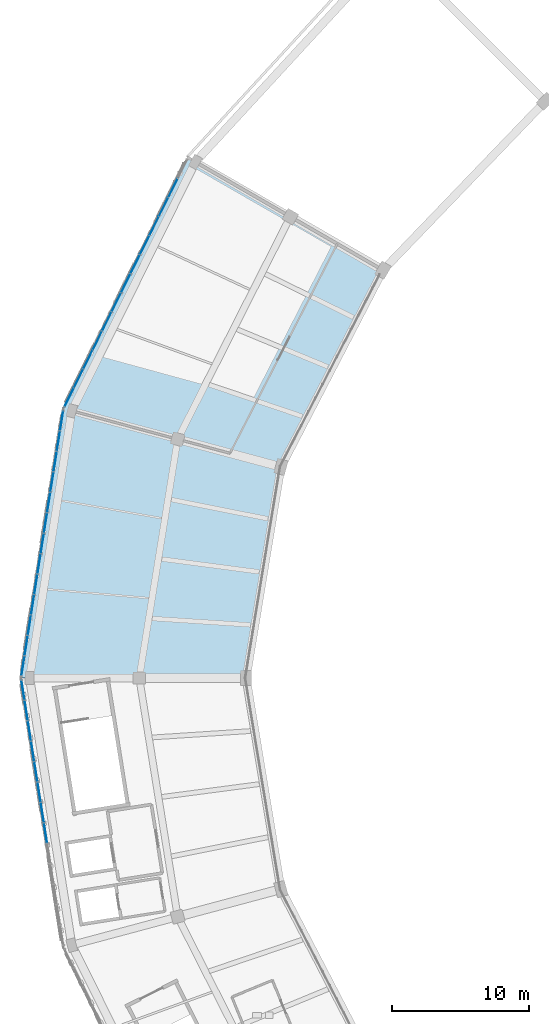
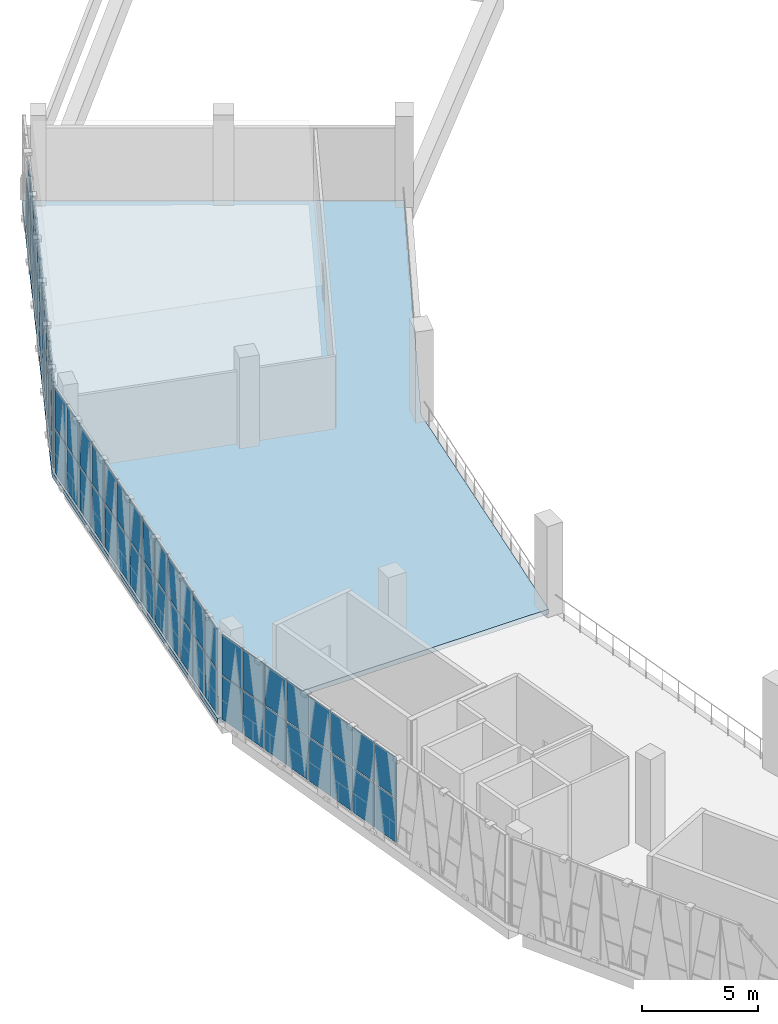
# One storey, part 36 of 64: 65 plates, 1 slab, 3 elements without a shape of their own.
"""IFC4 building model written with IfcOpenShell, lengths in metres."""

import ifcopenshell
import ifcopenshell.guid

model = None  # the IFC model being written
_history = None  # IfcOwnerHistory: only IFC2X3 demands one
_inside = {}  # id of a spatial element -> (the spatial element, [elements in it])
_under = {}  # id of a project, library or spatial element -> (it, [spatial elements below it])
_declared = {}  # id of a project -> (the project, [libraries it declares])
_typed = {}  # id of a type object -> (the type object, [elements of that type])
_made_of = {}  # id of a material, layer set ... -> (it, [elements and type objects made of it])


def new_model(schema):
    """Start an empty IFC model of exactly this schema.

    Asked for "IFC4X3", IfcOpenShell would pick the latest addendum, in which some entities
    have other attributes; the version numbers below select the first issue.
    IFC2X3 requires an IfcOwnerHistory on every rooted entity: one is made here for all.
    """
    global model, _history
    if schema == "IFC4X3":
        model = ifcopenshell.file(schema_version=(4, 3, 0, 0))
    else:
        model = ifcopenshell.file(schema=schema)
    _inside.clear()
    _under.clear()
    _declared.clear()
    _typed.clear()
    _made_of.clear()
    _history = None
    if model.schema == "IFC2X3":
        org = make("IfcOrganization", Name="unknown")
        user = make(
            "IfcPersonAndOrganization",
            ThePerson=make("IfcPerson", FamilyName="unknown"),
            TheOrganization=org,
        )
        app = make(
            "IfcApplication",
            ApplicationDeveloper=org,
            Version="unknown",
            ApplicationFullName="unknown",
            ApplicationIdentifier="unknown",
        )
        _history = make(
            "IfcOwnerHistory",
            OwningUser=user,
            OwningApplication=app,
            ChangeAction="ADDED",
            CreationDate=0,
        )
    return model


def make(cls, **values):
    """One entity of the class cls with the attributes given. An attribute that is None is left unset."""
    return model.create_entity(
        cls, **{name: value for name, value in values.items() if value is not None}
    )


def rooted(cls, **values):
    """An entity with a GlobalId (a new one), such as an element, a storey or a relation."""
    return make(cls, GlobalId=ifcopenshell.guid.new(), OwnerHistory=_history, **values)


def si_unit(unit_type, name, prefix=None):
    """IfcSIUnit, for example si_unit("LENGTHUNIT", "METRE", prefix="MILLI")."""
    return make("IfcSIUnit", UnitType=unit_type, Prefix=prefix, Name=name)


def assignment(units):
    """IfcUnitAssignment: the units of a project."""
    return None if units is None else make("IfcUnitAssignment", Units=units)


def point(xyz):
    """IfcCartesianPoint."""
    return None if xyz is None else make("IfcCartesianPoint", Coordinates=xyz)


def direction(xyz):
    """IfcDirection."""
    return None if xyz is None else make("IfcDirection", DirectionRatios=xyz)


def frame(location, z_axis=None, x_axis=None):
    """IfcAxis2Placement3D, a coordinate frame: its origin and axes. An axis left out is left unset."""
    return make(
        "IfcAxis2Placement3D",
        Location=point(location),
        Axis=direction(z_axis),
        RefDirection=direction(x_axis),
    )


def frame_2d(location, x_axis=None):
    """IfcAxis2Placement2D, a coordinate frame in the plane: its origin and x axis."""
    return make(
        "IfcAxis2Placement2D", Location=point(location), RefDirection=direction(x_axis)
    )


def origin():
    """The frame at (0, 0, 0) with its axes left unset."""
    return frame((0.0, 0.0, 0.0))


def origin_2d():
    """The frame at (0, 0) in the plane with its x axis left unset."""
    return frame_2d((0.0, 0.0))


def place(relative_to, where):
    """IfcLocalPlacement: puts the frame where relative to a parent placement (None: the world)."""
    return make(
        "IfcLocalPlacement", PlacementRelTo=relative_to, RelativePlacement=where
    )


def context(
    kind, dimensions, precision=None, world=None, true_north=None, identifier=None
):
    """IfcGeometricRepresentationContext, for example the 3D "Model" context."""
    return make(
        "IfcGeometricRepresentationContext",
        ContextIdentifier=identifier,
        ContextType=kind,
        CoordinateSpaceDimension=dimensions,
        Precision=precision,
        WorldCoordinateSystem=world,
        TrueNorth=true_north,
    )


def subcontext(parent, identifier, kind, view, scale=None):
    """IfcGeometricRepresentationSubContext, for example "Body" below "Model"."""
    return make(
        "IfcGeometricRepresentationSubContext",
        ContextIdentifier=identifier,
        ContextType=kind,
        ParentContext=parent,
        TargetScale=scale,
        TargetView=view,
    )


def project(units=None, contexts=None):
    """IfcProject with its units and contexts."""
    return rooted(
        "IfcProject",
        Name="project",
        RepresentationContexts=contexts,
        UnitsInContext=assignment(units),
    )


def spatial(cls, under=None, at=None, **own):
    """A site, building, storey or space (cls), placed at a placement, below another one or the project."""
    s = rooted(cls, ObjectPlacement=at, **own)
    if under is not None:
        _under.setdefault(under.id(), (under, []))[1].append(s)
    return s


def polyline(points):
    """IfcPolyline through the points."""
    return make("IfcPolyline", Points=[point(p) for p in points])


def profile(cls, at=None, kind="AREA", **sizes):
    """A parametric profile (cls). Its sizes go by their IFC names, for example OverallWidth=200.0."""
    return make(cls, ProfileType=kind, Position=at, **sizes)


def rectangle(**sizes):
    """IfcRectangleProfileDef."""
    return profile("IfcRectangleProfileDef", **sizes)


def outline(outer, holes=None, kind="AREA"):
    """IfcArbitraryClosedProfileDef: a profile drawn as a closed curve; with holes, ...WithVoids."""
    if holes is None:
        return make("IfcArbitraryClosedProfileDef", ProfileType=kind, OuterCurve=outer)
    return make(
        "IfcArbitraryProfileDefWithVoids",
        ProfileType=kind,
        OuterCurve=outer,
        InnerCurves=holes,
    )


def extrude(swept, where, along, depth):
    """IfcExtrudedAreaSolid: the profile swept, set in the frame where, extruded along a direction by depth."""
    return make(
        "IfcExtrudedAreaSolid",
        SweptArea=swept,
        Position=where,
        ExtrudedDirection=direction(along),
        Depth=depth,
    )


def shape(context_of_items, identifier, shape_type, items):
    """IfcShapeRepresentation: the items that make up one representation, for example the "Body"."""
    return make(
        "IfcShapeRepresentation",
        ContextOfItems=context_of_items,
        RepresentationIdentifier=identifier,
        RepresentationType=shape_type,
        Items=items,
    )


def material(Name=None, Category=None):
    """IfcMaterial."""
    return make("IfcMaterial", Name=Name, Category=Category)


def layer(
    of_material, thickness, ventilated=None, Name=None, Category=None, Priority=None
):
    """IfcMaterialLayer: one layer of a wall or slab, of a material (None: an air gap)."""
    return make(
        "IfcMaterialLayer",
        Material=of_material,
        LayerThickness=thickness,
        IsVentilated=ventilated,
        Name=Name,
        Category=Category,
        Priority=Priority,
    )


def layer_set(layers, Name=None):
    """IfcMaterialLayerSet."""
    return make("IfcMaterialLayerSet", MaterialLayers=layers, LayerSetName=Name)


def made_of(thing, what):
    """Note that an element or type object is made of a material, layer set ...; save() writes the relation."""
    if what is not None:
        _made_of.setdefault(what.id(), (what, []))[1].append(thing)
    return thing


def type_object(cls, material=None, **own):
    """A type object (cls), such as IfcWallType, which elements share."""
    return made_of(rooted(cls, **own), material)


def element(
    cls,
    number,
    at=None,
    inside=None,
    cuts=None,
    type_object=None,
    material=None,
    context=None,
    identifier="Body",
    shape_type=None,
    held_by="IfcProductDefinitionShape",
    body=None,
    shapes=None,
    **own,
):
    """One element of the class cls, such as IfcWall. Its Tag is "e" and its number.

    at: its placement. inside: the storey or other place that contains it. cuts: it is an
    opening in that element (IfcRelVoidsElement). A single representation is given by context,
    identifier, shape_type and body (its items); several are given by shapes. held_by: the class
    of the entity that holds the representations. save() writes the other relations.
    """
    e = rooted(cls, Tag="e%d" % number, ObjectPlacement=at, **own)
    if body is not None:
        shapes = [shape(context, identifier, shape_type, body)]
    if shapes is not None:
        e.Representation = make(held_by, Representations=shapes)
    if inside is not None:
        _inside.setdefault(inside.id(), (inside, []))[1].append(e)
    if cuts is not None:
        rooted(
            "IfcRelVoidsElement", RelatingBuildingElement=cuts, RelatedOpeningElement=e
        )
    if type_object is not None:
        _typed.setdefault(type_object.id(), (type_object, []))[1].append(e)
    return made_of(e, material)


def aggregate(whole, parts):
    """IfcRelAggregates: a whole, such as a stair, and the parts it consists of."""
    return rooted("IfcRelAggregates", RelatingObject=whole, RelatedObjects=parts)


def save(model, path):
    """Write the relations noted so far, then the file.

    IfcRelAggregates (storeys below a building ...), IfcRelContainedInSpatialStructure (elements
    in a storey), IfcRelDefinesByType, IfcRelAssociatesMaterial and IfcRelDeclares: one each for
    every whole, place, type object, material and project.
    """
    for whole, parts in _under.values():
        aggregate(whole, parts)
    for where, things in _inside.values():
        rooted(
            "IfcRelContainedInSpatialStructure",
            RelatedElements=things,
            RelatingStructure=where,
        )
    for kind, things in _typed.values():
        rooted("IfcRelDefinesByType", RelatedObjects=things, RelatingType=kind)
    for what, things in _made_of.values():
        rooted("IfcRelAssociatesMaterial", RelatedObjects=things, RelatingMaterial=what)
    for by, libraries in _declared.values():
        rooted("IfcRelDeclares", RelatingContext=by, RelatedDefinitions=libraries)
    model.write(path)


model = new_model("IFC4")

# Units and contexts
model_context = context("Model", 3, precision=1e-05, world=origin(), true_north=direction((0.0, 1.0)))
body_context = subcontext(model_context, "Body", "Model", "MODEL_VIEW")
ifc_project = project(units=[si_unit("LENGTHUNIT", "METRE"), si_unit("AREAUNIT", "SQUARE_METRE"), si_unit("VOLUMEUNIT", "CUBIC_METRE"), si_unit("PLANEANGLEUNIT", "RADIAN"), si_unit("MASSUNIT", "GRAM", prefix="KILO")], contexts=[model_context])

# Site, building, storey
site_placement = place(None, origin())
site = spatial("IfcSite", under=ifc_project, at=site_placement, CompositionType="ELEMENT")
building_placement = place(site_placement, origin())
building = spatial("IfcBuilding", under=site, at=building_placement, Name="Zevraka Park Crest Stadium", CompositionType="ELEMENT")
storey_placement = place(building_placement, frame((0.0, 0.0, 24.60009765625)))
storey = spatial("IfcBuildingStorey", under=building, at=storey_placement, Name="L05", CompositionType="ELEMENT", Elevation=24.60009765625)

# Curtain wall, plates
ifc_material_1 = material(Name="Anodised architectural aluminium and laminated safety glass", Category="aluminium")
curtain_wall_type_1 = type_object("IfcCurtainWallType", Name="CW21", PredefinedType="NOTDEFINED", material=ifc_material_1)
curtain_wall_1_placement = place(storey_placement, origin())
curtain_wall_1 = element("IfcCurtainWall", 1, at=curtain_wall_1_placement, inside=storey, type_object=curtain_wall_type_1, Name="Unitised Ring Curtain Wall CW21 L05-11", PredefinedType="NOTDEFINED")
ifc_material_2 = material(Name="Solar-control laminated double glazing", Category="glass")
ifc_layer_1 = layer(ifc_material_2, 0.031982421875)
ifc_layer_set_1 = layer_set([ifc_layer_1], Name="Solar-control laminated double glazing")
plate_type_1 = type_object("IfcPlateType", Name="CP21", PredefinedType="CURTAIN_PANEL", material=ifc_layer_set_1)
plate_1_placement = place(storey_placement, frame((24.03759765625, 110.755859375, 0.06982421875), z_axis=(0.0, 0.0, 1.0), x_axis=(-0.155711467527, -0.987802580924, 0.0)))
plate_1 = element("IfcPlate", 2, at=plate_1_placement, type_object=plate_type_1, Name="CW21 panel 1.1", PredefinedType="CURTAIN_PANEL", context=body_context, shape_type="SweptSolid", body=[
    extrude(rectangle(XDim=1.4052734375, YDim=0.031982421875, at=origin_2d()), origin(), (0.0, 0.0, 1.0), 2.294921875),
])
plate_2_placement = place(storey_placement, frame((24.03759765625, 110.755859375, 2.43505859375), z_axis=(0.0, 0.0, 1.0), x_axis=(-0.155711467527, -0.987802580924, 0.0)))
plate_2 = element("IfcPlate", 3, at=plate_2_placement, type_object=plate_type_1, Name="CW21 panel 1.2", PredefinedType="CURTAIN_PANEL", context=body_context, shape_type="SweptSolid", body=[
    extrude(rectangle(XDim=1.4052734375, YDim=0.031982421875, at=origin_2d()), origin(), (0.0, 0.0, 1.0), 2.114990234375),
])
plate_3_placement = place(storey_placement, frame((23.80517578125, 109.28125, 0.06982421875), z_axis=(0.0, 0.0, 1.0), x_axis=(-0.155711467527, -0.987802580924, 0.0)))
plate_3 = element("IfcPlate", 4, at=plate_3_placement, type_object=plate_type_1, Name="CW21 panel 2.1", PredefinedType="CURTAIN_PANEL", context=body_context, shape_type="SweptSolid", body=[
    extrude(rectangle(XDim=1.440185546875, YDim=0.031982421875, at=origin_2d()), origin(), (0.0, 0.0, 1.0), 2.294921875),
])
plate_4_placement = place(storey_placement, frame((23.80517578125, 109.28125, 2.43505859375), z_axis=(0.0, 0.0, 1.0), x_axis=(-0.155711467527, -0.987802580924, 0.0)))
plate_4 = element("IfcPlate", 5, at=plate_4_placement, type_object=plate_type_1, Name="CW21 panel 2.2", PredefinedType="CURTAIN_PANEL", context=body_context, shape_type="SweptSolid", body=[
    extrude(rectangle(XDim=1.440185546875, YDim=0.031982421875, at=origin_2d()), origin(), (0.0, 0.0, 1.0), 2.114990234375),
])
plate_5_placement = place(storey_placement, frame((23.570068359375, 107.78955078125, 0.06982421875), z_axis=(0.0, 0.0, 1.0), x_axis=(-0.155711467527, -0.987802580924, 0.0)))
plate_5 = element("IfcPlate", 6, at=plate_5_placement, type_object=plate_type_1, Name="CW21 panel 3.1", PredefinedType="CURTAIN_PANEL", context=body_context, shape_type="SweptSolid", body=[
    extrude(rectangle(XDim=1.440185546875, YDim=0.031982421875, at=origin_2d()), origin(), (0.0, 0.0, 1.0), 2.294921875),
])
plate_6_placement = place(storey_placement, frame((23.570068359375, 107.78955078125, 2.43505859375), z_axis=(0.0, 0.0, 1.0), x_axis=(-0.155711467527, -0.987802580924, 0.0)))
plate_6 = element("IfcPlate", 7, at=plate_6_placement, type_object=plate_type_1, Name="CW21 panel 3.2", PredefinedType="CURTAIN_PANEL", context=body_context, shape_type="SweptSolid", body=[
    extrude(rectangle(XDim=1.440185546875, YDim=0.031982421875, at=origin_2d()), origin(), (0.0, 0.0, 1.0), 2.114990234375),
])
plate_7_placement = place(storey_placement, frame((23.3349609375, 106.2978515625, 0.06982421875), z_axis=(0.0, 0.0, 1.0), x_axis=(-0.155711467527, -0.987802580924, 0.0)))
plate_7 = element("IfcPlate", 8, at=plate_7_placement, type_object=plate_type_1, Name="CW21 panel 4.1", PredefinedType="CURTAIN_PANEL", context=body_context, shape_type="SweptSolid", body=[
    extrude(rectangle(XDim=1.440185546875, YDim=0.031982421875, at=origin_2d()), origin(), (0.0, 0.0, 1.0), 2.294921875),
])
plate_8_placement = place(storey_placement, frame((23.3349609375, 106.2978515625, 2.43505859375), z_axis=(0.0, 0.0, 1.0), x_axis=(-0.155711467527, -0.987802580924, 0.0)))
plate_8 = element("IfcPlate", 9, at=plate_8_placement, type_object=plate_type_1, Name="CW21 panel 4.2", PredefinedType="CURTAIN_PANEL", context=body_context, shape_type="SweptSolid", body=[
    extrude(rectangle(XDim=1.440185546875, YDim=0.031982421875, at=origin_2d()), origin(), (0.0, 0.0, 1.0), 2.114990234375),
])
plate_9_placement = place(storey_placement, frame((23.099853515625, 104.80615234375, 0.06982421875), z_axis=(0.0, 0.0, 1.0), x_axis=(-0.155711467527, -0.987802580924, 0.0)))
plate_9 = element("IfcPlate", 10, at=plate_9_placement, type_object=plate_type_1, Name="CW21 panel 5.1", PredefinedType="CURTAIN_PANEL", context=body_context, shape_type="SweptSolid", body=[
    extrude(rectangle(XDim=1.440185546875, YDim=0.031982421875, at=origin_2d()), origin(), (0.0, 0.0, 1.0), 2.294921875),
])
plate_10_placement = place(storey_placement, frame((23.099853515625, 104.80615234375, 2.43505859375), z_axis=(0.0, 0.0, 1.0), x_axis=(-0.155711467527, -0.987802580924, 0.0)))
plate_10 = element("IfcPlate", 11, at=plate_10_placement, type_object=plate_type_1, Name="CW21 panel 5.2", PredefinedType="CURTAIN_PANEL", context=body_context, shape_type="SweptSolid", body=[
    extrude(rectangle(XDim=1.440185546875, YDim=0.031982421875, at=origin_2d()), origin(), (0.0, 0.0, 1.0), 2.114990234375),
])
plate_11_placement = place(storey_placement, frame((22.86474609375, 103.314208984375, 0.06982421875), z_axis=(0.0, 0.0, 1.0), x_axis=(-0.155711467527, -0.987802580924, 0.0)))
plate_11 = element("IfcPlate", 12, at=plate_11_placement, type_object=plate_type_1, Name="CW21 panel 6.1", PredefinedType="CURTAIN_PANEL", context=body_context, shape_type="SweptSolid", body=[
    extrude(rectangle(XDim=1.440185546875, YDim=0.031982421875, at=origin_2d()), origin(), (0.0, 0.0, 1.0), 2.294921875),
])
plate_12_placement = place(storey_placement, frame((22.86474609375, 103.314208984375, 2.43505859375), z_axis=(0.0, 0.0, 1.0), x_axis=(-0.155711467527, -0.987802580924, 0.0)))
plate_12 = element("IfcPlate", 13, at=plate_12_placement, type_object=plate_type_1, Name="CW21 panel 6.2", PredefinedType="CURTAIN_PANEL", context=body_context, shape_type="SweptSolid", body=[
    extrude(rectangle(XDim=1.440185546875, YDim=0.031982421875, at=origin_2d()), origin(), (0.0, 0.0, 1.0), 2.114990234375),
])
plate_13_placement = place(storey_placement, frame((22.62939453125, 101.822509765625, 0.06982421875), z_axis=(0.0, 0.0, 1.0), x_axis=(-0.155711467527, -0.987802580924, 0.0)))
plate_13 = element("IfcPlate", 14, at=plate_13_placement, type_object=plate_type_1, Name="CW21 panel 7.1", PredefinedType="CURTAIN_PANEL", context=body_context, shape_type="SweptSolid", body=[
    extrude(rectangle(XDim=1.440185546875, YDim=0.031982421875, at=origin_2d()), origin(), (0.0, 0.0, 1.0), 2.294921875),
])
plate_14_placement = place(storey_placement, frame((22.62939453125, 101.822509765625, 2.43505859375), z_axis=(0.0, 0.0, 1.0), x_axis=(-0.155711467527, -0.987802580924, 0.0)))
plate_14 = element("IfcPlate", 15, at=plate_14_placement, type_object=plate_type_1, Name="CW21 panel 7.2", PredefinedType="CURTAIN_PANEL", context=body_context, shape_type="SweptSolid", body=[
    extrude(rectangle(XDim=1.440185546875, YDim=0.031982421875, at=origin_2d()), origin(), (0.0, 0.0, 1.0), 2.114990234375),
])
plate_15_placement = place(storey_placement, frame((22.394287109375, 100.330810546875, 0.06982421875), z_axis=(0.0, 0.0, 1.0), x_axis=(-0.155711467527, -0.987802580924, 0.0)))
plate_15 = element("IfcPlate", 16, at=plate_15_placement, type_object=plate_type_1, Name="CW21 panel 8.1", PredefinedType="CURTAIN_PANEL", context=body_context, shape_type="SweptSolid", body=[
    extrude(rectangle(XDim=1.440185546875, YDim=0.031982421875, at=origin_2d()), origin(), (0.0, 0.0, 1.0), 2.294921875),
])
plate_16_placement = place(storey_placement, frame((22.394287109375, 100.330810546875, 2.43505859375), z_axis=(0.0, 0.0, 1.0), x_axis=(-0.155711467527, -0.987802580924, 0.0)))
plate_16 = element("IfcPlate", 17, at=plate_16_placement, type_object=plate_type_1, Name="CW21 panel 8.2", PredefinedType="CURTAIN_PANEL", context=body_context, shape_type="SweptSolid", body=[
    extrude(rectangle(XDim=1.440185546875, YDim=0.031982421875, at=origin_2d()), origin(), (0.0, 0.0, 1.0), 2.114990234375),
])
plate_17_placement = place(storey_placement, frame((22.1591796875, 98.8388671875, 0.06982421875), z_axis=(0.0, 0.0, 1.0), x_axis=(-0.155711467527, -0.987802580924, 0.0)))
plate_17 = element("IfcPlate", 18, at=plate_17_placement, type_object=plate_type_1, Name="CW21 panel 9.1", PredefinedType="CURTAIN_PANEL", context=body_context, shape_type="SweptSolid", body=[
    extrude(rectangle(XDim=1.440185546875, YDim=0.031982421875, at=origin_2d()), origin(), (0.0, 0.0, 1.0), 2.294921875),
])
plate_18_placement = place(storey_placement, frame((22.1591796875, 98.8388671875, 2.43505859375), z_axis=(0.0, 0.0, 1.0), x_axis=(-0.155711467527, -0.987802580924, 0.0)))
plate_18 = element("IfcPlate", 19, at=plate_18_placement, type_object=plate_type_1, Name="CW21 panel 9.2", PredefinedType="CURTAIN_PANEL", context=body_context, shape_type="SweptSolid", body=[
    extrude(rectangle(XDim=1.440185546875, YDim=0.031982421875, at=origin_2d()), origin(), (0.0, 0.0, 1.0), 2.114990234375),
])
plate_19_placement = place(storey_placement, frame((21.924072265625, 97.34716796875, 0.06982421875), z_axis=(0.0, 0.0, 1.0), x_axis=(-0.155711467527, -0.987802580924, 0.0)))
plate_19 = element("IfcPlate", 20, at=plate_19_placement, type_object=plate_type_1, Name="CW21 panel 10.1", PredefinedType="CURTAIN_PANEL", context=body_context, shape_type="SweptSolid", body=[
    extrude(rectangle(XDim=1.440185546875, YDim=0.031982421875, at=origin_2d()), origin(), (0.0, 0.0, 1.0), 2.294921875),
])
plate_20_placement = place(storey_placement, frame((21.924072265625, 97.34716796875, 2.43505859375), z_axis=(0.0, 0.0, 1.0), x_axis=(-0.155711467527, -0.987802580924, 0.0)))
plate_20 = element("IfcPlate", 21, at=plate_20_placement, type_object=plate_type_1, Name="CW21 panel 10.2", PredefinedType="CURTAIN_PANEL", context=body_context, shape_type="SweptSolid", body=[
    extrude(rectangle(XDim=1.440185546875, YDim=0.031982421875, at=origin_2d()), origin(), (0.0, 0.0, 1.0), 2.114990234375),
])
plate_21_placement = place(storey_placement, frame((21.68896484375, 95.85546875, 0.06982421875), z_axis=(0.0, 0.0, 1.0), x_axis=(-0.155711467527, -0.987802580924, 0.0)))
plate_21 = element("IfcPlate", 22, at=plate_21_placement, type_object=plate_type_1, Name="CW21 panel 11.1", PredefinedType="CURTAIN_PANEL", context=body_context, shape_type="SweptSolid", body=[
    extrude(rectangle(XDim=1.440185546875, YDim=0.031982421875, at=origin_2d()), origin(), (0.0, 0.0, 1.0), 2.294921875),
])
plate_22_placement = place(storey_placement, frame((21.68896484375, 95.85546875, 2.43505859375), z_axis=(0.0, 0.0, 1.0), x_axis=(-0.155711467527, -0.987802580924, 0.0)))
plate_22 = element("IfcPlate", 23, at=plate_22_placement, type_object=plate_type_1, Name="CW21 panel 11.2", PredefinedType="CURTAIN_PANEL", context=body_context, shape_type="SweptSolid", body=[
    extrude(rectangle(XDim=1.440185546875, YDim=0.031982421875, at=origin_2d()), origin(), (0.0, 0.0, 1.0), 2.114990234375),
])
plate_23_placement = place(storey_placement, frame((21.45361328125, 94.36376953125, 0.06982421875), z_axis=(0.0, 0.0, 1.0), x_axis=(-0.155711467527, -0.987802580924, 0.0)))
plate_23 = element("IfcPlate", 24, at=plate_23_placement, type_object=plate_type_1, Name="CW21 panel 12.1", PredefinedType="CURTAIN_PANEL", context=body_context, shape_type="SweptSolid", body=[
    extrude(rectangle(XDim=1.440185546875, YDim=0.031982421875, at=origin_2d()), origin(), (0.0, 0.0, 1.0), 2.294921875),
])
plate_24_placement = place(storey_placement, frame((21.45361328125, 94.36376953125, 2.43505859375), z_axis=(0.0, 0.0, 1.0), x_axis=(-0.155711467527, -0.987802580924, 0.0)))
plate_24 = element("IfcPlate", 25, at=plate_24_placement, type_object=plate_type_1, Name="CW21 panel 12.2", PredefinedType="CURTAIN_PANEL", context=body_context, shape_type="SweptSolid", body=[
    extrude(rectangle(XDim=1.440185546875, YDim=0.031982421875, at=origin_2d()), origin(), (0.0, 0.0, 1.0), 2.114990234375),
])
plate_25_placement = place(storey_placement, frame((21.22119140625, 92.88916015625, 0.06982421875), z_axis=(0.0, 0.0, 1.0), x_axis=(-0.155711467527, -0.987802580924, 0.0)))
plate_25 = element("IfcPlate", 26, at=plate_25_placement, type_object=plate_type_1, Name="CW21 panel 13.1", PredefinedType="CURTAIN_PANEL", context=body_context, shape_type="SweptSolid", body=[
    extrude(rectangle(XDim=1.4052734375, YDim=0.031982421875, at=origin_2d()), origin(), (0.0, 0.0, 1.0), 2.294921875),
])
plate_26_placement = place(storey_placement, frame((21.22119140625, 92.88916015625, 2.43505859375), z_axis=(0.0, 0.0, 1.0), x_axis=(-0.155711467527, -0.987802580924, 0.0)))
plate_26 = element("IfcPlate", 27, at=plate_26_placement, type_object=plate_type_1, Name="CW21 panel 13.2", PredefinedType="CURTAIN_PANEL", context=body_context, shape_type="SweptSolid", body=[
    extrude(rectangle(XDim=1.4052734375, YDim=0.031982421875, at=origin_2d()), origin(), (0.0, 0.0, 1.0), 2.114990234375),
])
aggregate(curtain_wall_1, [plate_1, plate_2, plate_3, plate_4, plate_5, plate_6, plate_7, plate_8, plate_9, plate_10, plate_11, plate_12, plate_13, plate_14, plate_15, plate_16, plate_17, plate_18, plate_19, plate_20, plate_21, plate_22, plate_23, plate_24, plate_25, plate_26])

curtain_wall_2_placement = place(storey_placement, origin())
curtain_wall_2 = element("IfcCurtainWall", 28, at=curtain_wall_2_placement, inside=storey, type_object=curtain_wall_type_1, Name="Unitised Ring Curtain Wall CW21 L05-12", PredefinedType="NOTDEFINED")
plate_27_placement = place(storey_placement, frame((21.22119140625, 91.11083984375, 0.06982421875), z_axis=(0.0, 0.0, 1.0), x_axis=(0.155711467527, -0.987802580924, 0.0)))
plate_27 = element("IfcPlate", 29, at=plate_27_placement, type_object=plate_type_1, Name="CW21 panel 1.1", PredefinedType="CURTAIN_PANEL", context=body_context, shape_type="SweptSolid", body=[
    extrude(rectangle(XDim=1.4052734375, YDim=0.031982421875, at=origin_2d()), origin(), (0.0, 0.0, 1.0), 2.294921875),
])
plate_28_placement = place(storey_placement, frame((21.22119140625, 91.11083984375, 2.43505859375), z_axis=(0.0, 0.0, 1.0), x_axis=(0.155711467527, -0.987802580924, 0.0)))
plate_28 = element("IfcPlate", 30, at=plate_28_placement, type_object=plate_type_1, Name="CW21 panel 1.2", PredefinedType="CURTAIN_PANEL", context=body_context, shape_type="SweptSolid", body=[
    extrude(rectangle(XDim=1.4052734375, YDim=0.031982421875, at=origin_2d()), origin(), (0.0, 0.0, 1.0), 2.114990234375),
])
plate_29_placement = place(storey_placement, frame((21.45361328125, 89.63623046875, 0.06982421875), z_axis=(0.0, 0.0, 1.0), x_axis=(0.155711467527, -0.987802580924, 0.0)))
plate_29 = element("IfcPlate", 31, at=plate_29_placement, type_object=plate_type_1, Name="CW21 panel 2.1", PredefinedType="CURTAIN_PANEL", context=body_context, shape_type="SweptSolid", body=[
    extrude(rectangle(XDim=1.440185546875, YDim=0.031982421875, at=origin_2d()), origin(), (0.0, 0.0, 1.0), 2.294921875),
])
plate_30_placement = place(storey_placement, frame((21.45361328125, 89.63623046875, 2.43505859375), z_axis=(0.0, 0.0, 1.0), x_axis=(0.155711467527, -0.987802580924, 0.0)))
plate_30 = element("IfcPlate", 32, at=plate_30_placement, type_object=plate_type_1, Name="CW21 panel 2.2", PredefinedType="CURTAIN_PANEL", context=body_context, shape_type="SweptSolid", body=[
    extrude(rectangle(XDim=1.440185546875, YDim=0.031982421875, at=origin_2d()), origin(), (0.0, 0.0, 1.0), 2.114990234375),
])
plate_31_placement = place(storey_placement, frame((21.68896484375, 88.14453125, 0.06982421875), z_axis=(0.0, 0.0, 1.0), x_axis=(0.155711467527, -0.987802580924, 0.0)))
plate_31 = element("IfcPlate", 33, at=plate_31_placement, type_object=plate_type_1, Name="CW21 panel 3.1", PredefinedType="CURTAIN_PANEL", context=body_context, shape_type="SweptSolid", body=[
    extrude(rectangle(XDim=1.440185546875, YDim=0.031982421875, at=origin_2d()), origin(), (0.0, 0.0, 1.0), 2.294921875),
])
plate_32_placement = place(storey_placement, frame((21.68896484375, 88.14453125, 2.43505859375), z_axis=(0.0, 0.0, 1.0), x_axis=(0.155711467527, -0.987802580924, 0.0)))
plate_32 = element("IfcPlate", 34, at=plate_32_placement, type_object=plate_type_1, Name="CW21 panel 3.2", PredefinedType="CURTAIN_PANEL", context=body_context, shape_type="SweptSolid", body=[
    extrude(rectangle(XDim=1.440185546875, YDim=0.031982421875, at=origin_2d()), origin(), (0.0, 0.0, 1.0), 2.114990234375),
])
plate_33_placement = place(storey_placement, frame((21.924072265625, 86.65283203125, 0.06982421875), z_axis=(0.0, 0.0, 1.0), x_axis=(0.155711467527, -0.987802580924, 0.0)))
plate_33 = element("IfcPlate", 35, at=plate_33_placement, type_object=plate_type_1, Name="CW21 panel 4.1", PredefinedType="CURTAIN_PANEL", context=body_context, shape_type="SweptSolid", body=[
    extrude(rectangle(XDim=1.440185546875, YDim=0.031982421875, at=origin_2d()), origin(), (0.0, 0.0, 1.0), 2.294921875),
])
plate_34_placement = place(storey_placement, frame((21.924072265625, 86.65283203125, 2.43505859375), z_axis=(0.0, 0.0, 1.0), x_axis=(0.155711467527, -0.987802580924, 0.0)))
plate_34 = element("IfcPlate", 36, at=plate_34_placement, type_object=plate_type_1, Name="CW21 panel 4.2", PredefinedType="CURTAIN_PANEL", context=body_context, shape_type="SweptSolid", body=[
    extrude(rectangle(XDim=1.440185546875, YDim=0.031982421875, at=origin_2d()), origin(), (0.0, 0.0, 1.0), 2.114990234375),
])
plate_35_placement = place(storey_placement, frame((22.1591796875, 85.1611328125, 0.06982421875), z_axis=(0.0, 0.0, 1.0), x_axis=(0.155711467527, -0.987802580924, 0.0)))
plate_35 = element("IfcPlate", 37, at=plate_35_placement, type_object=plate_type_1, Name="CW21 panel 5.1", PredefinedType="CURTAIN_PANEL", context=body_context, shape_type="SweptSolid", body=[
    extrude(rectangle(XDim=1.440185546875, YDim=0.031982421875, at=origin_2d()), origin(), (0.0, 0.0, 1.0), 2.294921875),
])
plate_36_placement = place(storey_placement, frame((22.1591796875, 85.1611328125, 2.43505859375), z_axis=(0.0, 0.0, 1.0), x_axis=(0.155711467527, -0.987802580924, 0.0)))
plate_36 = element("IfcPlate", 38, at=plate_36_placement, type_object=plate_type_1, Name="CW21 panel 5.2", PredefinedType="CURTAIN_PANEL", context=body_context, shape_type="SweptSolid", body=[
    extrude(rectangle(XDim=1.440185546875, YDim=0.031982421875, at=origin_2d()), origin(), (0.0, 0.0, 1.0), 2.114990234375),
])
plate_37_placement = place(storey_placement, frame((22.394287109375, 83.669189453125, 0.06982421875), z_axis=(0.0, 0.0, 1.0), x_axis=(0.155711467527, -0.987802580924, 0.0)))
plate_37 = element("IfcPlate", 39, at=plate_37_placement, type_object=plate_type_1, Name="CW21 panel 6.1", PredefinedType="CURTAIN_PANEL", context=body_context, shape_type="SweptSolid", body=[
    extrude(rectangle(XDim=1.440185546875, YDim=0.031982421875, at=origin_2d()), origin(), (0.0, 0.0, 1.0), 2.294921875),
])
plate_38_placement = place(storey_placement, frame((22.394287109375, 83.669189453125, 2.43505859375), z_axis=(0.0, 0.0, 1.0), x_axis=(0.155711467527, -0.987802580924, 0.0)))
plate_38 = element("IfcPlate", 40, at=plate_38_placement, type_object=plate_type_1, Name="CW21 panel 6.2", PredefinedType="CURTAIN_PANEL", context=body_context, shape_type="SweptSolid", body=[
    extrude(rectangle(XDim=1.440185546875, YDim=0.031982421875, at=origin_2d()), origin(), (0.0, 0.0, 1.0), 2.114990234375),
])
plate_39_placement = place(storey_placement, frame((22.62939453125, 82.177490234375, 0.06982421875), z_axis=(0.0, 0.0, 1.0), x_axis=(0.155711467527, -0.987802580924, 0.0)))
plate_39 = element("IfcPlate", 41, at=plate_39_placement, type_object=plate_type_1, Name="CW21 panel 7.1", PredefinedType="CURTAIN_PANEL", context=body_context, shape_type="SweptSolid", body=[
    extrude(rectangle(XDim=1.440185546875, YDim=0.031982421875, at=origin_2d()), origin(), (0.0, 0.0, 1.0), 2.294921875),
])
plate_40_placement = place(storey_placement, frame((22.62939453125, 82.177490234375, 2.43505859375), z_axis=(0.0, 0.0, 1.0), x_axis=(0.155711467527, -0.987802580924, 0.0)))
plate_40 = element("IfcPlate", 42, at=plate_40_placement, type_object=plate_type_1, Name="CW21 panel 7.2", PredefinedType="CURTAIN_PANEL", context=body_context, shape_type="SweptSolid", body=[
    extrude(rectangle(XDim=1.440185546875, YDim=0.031982421875, at=origin_2d()), origin(), (0.0, 0.0, 1.0), 2.114990234375),
])
plate_41_placement = place(storey_placement, frame((22.86474609375, 80.685791015625, 0.06982421875), z_axis=(0.0, 0.0, 1.0), x_axis=(0.155711467527, -0.987802580924, 0.0)))
plate_41 = element("IfcPlate", 43, at=plate_41_placement, type_object=plate_type_1, Name="CW21 panel 8.1", PredefinedType="CURTAIN_PANEL", context=body_context, shape_type="SweptSolid", body=[
    extrude(rectangle(XDim=1.440185546875, YDim=0.031982421875, at=origin_2d()), origin(), (0.0, 0.0, 1.0), 2.294921875),
])
plate_42_placement = place(storey_placement, frame((22.86474609375, 80.685791015625, 2.43505859375), z_axis=(0.0, 0.0, 1.0), x_axis=(0.155711467527, -0.987802580924, 0.0)))
plate_42 = element("IfcPlate", 44, at=plate_42_placement, type_object=plate_type_1, Name="CW21 panel 8.2", PredefinedType="CURTAIN_PANEL", context=body_context, shape_type="SweptSolid", body=[
    extrude(rectangle(XDim=1.440185546875, YDim=0.031982421875, at=origin_2d()), origin(), (0.0, 0.0, 1.0), 2.114990234375),
])
aggregate(curtain_wall_2, [plate_27, plate_28, plate_29, plate_30, plate_31, plate_32, plate_33, plate_34, plate_35, plate_36, plate_37, plate_38, plate_39, plate_40, plate_41, plate_42])

ifc_material_3 = material(Name="Anodised architectural aluminium and laminated safety glass", Category="aluminium")
curtain_wall_type_2 = type_object("IfcCurtainWallType", Name="CW22", PredefinedType="NOTDEFINED", material=ifc_material_3)
curtain_wall_3_placement = place(storey_placement, origin())
curtain_wall_3 = element("IfcCurtainWall", 45, at=curtain_wall_3_placement, inside=storey, type_object=curtain_wall_type_2, Name="Unitised Ring Curtain Wall CW22 L05-10", PredefinedType="NOTDEFINED")
ifc_material_4 = material(Name="Solar-control laminated double glazing", Category="glass")
ifc_layer_2 = layer(ifc_material_4, 0.031982421875)
ifc_layer_set_2 = layer_set([ifc_layer_2], Name="Solar-control laminated double glazing")
plate_type_2 = type_object("IfcPlateType", Name="CP22", PredefinedType="CURTAIN_PANEL", material=ifc_layer_set_2)
plate_43_placement = place(storey_placement, frame((32.16650390625, 127.7529296875, 0.059814453125), z_axis=(0.0, 0.0, 1.0), x_axis=(-0.444297471499, -0.895879320455, 0.0)))
plate_43 = element("IfcPlate", 46, at=plate_43_placement, type_object=plate_type_2, Name="CW22 panel 2.1", PredefinedType="CURTAIN_PANEL", context=body_context, shape_type="SweptSolid", body=[
    extrude(rectangle(XDim=1.492431640625, YDim=0.031982421875, at=origin_2d()), origin(), (0.0, 0.0, 1.0), 2.31005859375),
])
plate_44_placement = place(storey_placement, frame((31.476806640625, 126.3623046875, 0.059814453125), z_axis=(0.0, 0.0, 1.0), x_axis=(-0.444297471499, -0.895879320455, 0.0)))
plate_44 = element("IfcPlate", 47, at=plate_44_placement, type_object=plate_type_2, Name="CW22 panel 3.1", PredefinedType="CURTAIN_PANEL", context=body_context, shape_type="SweptSolid", body=[
    extrude(rectangle(XDim=1.492431640625, YDim=0.031982421875, at=origin_2d()), origin(), (0.0, 0.0, 1.0), 2.31005859375),
])
plate_45_placement = place(storey_placement, frame((31.476806640625, 126.3623046875, 2.429931640625), z_axis=(0.0, 0.0, 1.0), x_axis=(-0.444297471499, -0.895879320455, 0.0)))
plate_45 = element("IfcPlate", 48, at=plate_45_placement, type_object=plate_type_2, Name="CW22 panel 3.2", PredefinedType="CURTAIN_PANEL", context=body_context, shape_type="SweptSolid", body=[
    extrude(rectangle(XDim=1.492431640625, YDim=0.031982421875, at=origin_2d()), origin(), (0.0, 0.0, 1.0), 2.1298828125),
])
plate_46_placement = place(storey_placement, frame((30.787109375, 124.9716796875, 0.059814453125), z_axis=(0.0, 0.0, 1.0), x_axis=(-0.444297471499, -0.895879320455, 0.0)))
plate_46 = element("IfcPlate", 49, at=plate_46_placement, type_object=plate_type_2, Name="CW22 panel 4.1", PredefinedType="CURTAIN_PANEL", context=body_context, shape_type="SweptSolid", body=[
    extrude(rectangle(XDim=1.492431640625, YDim=0.031982421875, at=origin_2d()), origin(), (0.0, 0.0, 1.0), 2.31005859375),
])
plate_47_placement = place(storey_placement, frame((30.787109375, 124.9716796875, 2.429931640625), z_axis=(0.0, 0.0, 1.0), x_axis=(-0.444297471499, -0.895879320455, 0.0)))
plate_47 = element("IfcPlate", 50, at=plate_47_placement, type_object=plate_type_2, Name="CW22 panel 4.2", PredefinedType="CURTAIN_PANEL", context=body_context, shape_type="SweptSolid", body=[
    extrude(rectangle(XDim=1.492431640625, YDim=0.031982421875, at=origin_2d()), origin(), (0.0, 0.0, 1.0), 2.1298828125),
])
plate_48_placement = place(storey_placement, frame((30.097412109375, 123.580810546875, 0.059814453125), z_axis=(0.0, 0.0, 1.0), x_axis=(-0.444297471499, -0.895879320455, 0.0)))
plate_48 = element("IfcPlate", 51, at=plate_48_placement, type_object=plate_type_2, Name="CW22 panel 5.1", PredefinedType="CURTAIN_PANEL", context=body_context, shape_type="SweptSolid", body=[
    extrude(rectangle(XDim=1.492431640625, YDim=0.031982421875, at=origin_2d()), origin(), (0.0, 0.0, 1.0), 2.31005859375),
])
plate_49_placement = place(storey_placement, frame((30.097412109375, 123.580810546875, 2.429931640625), z_axis=(0.0, 0.0, 1.0), x_axis=(-0.444297471499, -0.895879320455, 0.0)))
plate_49 = element("IfcPlate", 52, at=plate_49_placement, type_object=plate_type_2, Name="CW22 panel 5.2", PredefinedType="CURTAIN_PANEL", context=body_context, shape_type="SweptSolid", body=[
    extrude(rectangle(XDim=1.492431640625, YDim=0.031982421875, at=origin_2d()), origin(), (0.0, 0.0, 1.0), 2.1298828125),
])
plate_50_placement = place(storey_placement, frame((29.40771484375, 122.190185546875, 0.059814453125), z_axis=(0.0, 0.0, 1.0), x_axis=(-0.444297471499, -0.895879320455, 0.0)))
plate_50 = element("IfcPlate", 53, at=plate_50_placement, type_object=plate_type_2, Name="CW22 panel 6.1", PredefinedType="CURTAIN_PANEL", context=body_context, shape_type="SweptSolid", body=[
    extrude(rectangle(XDim=1.492431640625, YDim=0.031982421875, at=origin_2d()), origin(), (0.0, 0.0, 1.0), 2.31005859375),
])
plate_51_placement = place(storey_placement, frame((29.40771484375, 122.190185546875, 2.429931640625), z_axis=(0.0, 0.0, 1.0), x_axis=(-0.444297471499, -0.895879320455, 0.0)))
plate_51 = element("IfcPlate", 54, at=plate_51_placement, type_object=plate_type_2, Name="CW22 panel 6.2", PredefinedType="CURTAIN_PANEL", context=body_context, shape_type="SweptSolid", body=[
    extrude(rectangle(XDim=1.492431640625, YDim=0.031982421875, at=origin_2d()), origin(), (0.0, 0.0, 1.0), 2.1298828125),
])
plate_52_placement = place(storey_placement, frame((28.718017578125, 120.799560546875, 0.059814453125), z_axis=(0.0, 0.0, 1.0), x_axis=(-0.444297471499, -0.895879320455, 0.0)))
plate_52 = element("IfcPlate", 55, at=plate_52_placement, type_object=plate_type_2, Name="CW22 panel 7.1", PredefinedType="CURTAIN_PANEL", context=body_context, shape_type="SweptSolid", body=[
    extrude(rectangle(XDim=1.492431640625, YDim=0.031982421875, at=origin_2d()), origin(), (0.0, 0.0, 1.0), 2.31005859375),
])
plate_53_placement = place(storey_placement, frame((28.718017578125, 120.799560546875, 2.429931640625), z_axis=(0.0, 0.0, 1.0), x_axis=(-0.444297471499, -0.895879320455, 0.0)))
plate_53 = element("IfcPlate", 56, at=plate_53_placement, type_object=plate_type_2, Name="CW22 panel 7.2", PredefinedType="CURTAIN_PANEL", context=body_context, shape_type="SweptSolid", body=[
    extrude(rectangle(XDim=1.492431640625, YDim=0.031982421875, at=origin_2d()), origin(), (0.0, 0.0, 1.0), 2.1298828125),
])
plate_54_placement = place(storey_placement, frame((28.0283203125, 119.40869140625, 0.059814453125), z_axis=(0.0, 0.0, 1.0), x_axis=(-0.444297471499, -0.895879320455, 0.0)))
plate_54 = element("IfcPlate", 57, at=plate_54_placement, type_object=plate_type_2, Name="CW22 panel 8.1", PredefinedType="CURTAIN_PANEL", context=body_context, shape_type="SweptSolid", body=[
    extrude(rectangle(XDim=1.492431640625, YDim=0.031982421875, at=origin_2d()), origin(), (0.0, 0.0, 1.0), 2.31005859375),
])
plate_55_placement = place(storey_placement, frame((28.0283203125, 119.40869140625, 2.429931640625), z_axis=(0.0, 0.0, 1.0), x_axis=(-0.444297471499, -0.895879320455, 0.0)))
plate_55 = element("IfcPlate", 58, at=plate_55_placement, type_object=plate_type_2, Name="CW22 panel 8.2", PredefinedType="CURTAIN_PANEL", context=body_context, shape_type="SweptSolid", body=[
    extrude(rectangle(XDim=1.492431640625, YDim=0.031982421875, at=origin_2d()), origin(), (0.0, 0.0, 1.0), 2.1298828125),
])
plate_56_placement = place(storey_placement, frame((27.338623046875, 118.01806640625, 0.059814453125), z_axis=(0.0, 0.0, 1.0), x_axis=(-0.444297471499, -0.895879320455, 0.0)))
plate_56 = element("IfcPlate", 59, at=plate_56_placement, type_object=plate_type_2, Name="CW22 panel 9.1", PredefinedType="CURTAIN_PANEL", context=body_context, shape_type="SweptSolid", body=[
    extrude(rectangle(XDim=1.492431640625, YDim=0.031982421875, at=origin_2d()), origin(), (0.0, 0.0, 1.0), 2.31005859375),
])
plate_57_placement = place(storey_placement, frame((27.338623046875, 118.01806640625, 2.429931640625), z_axis=(0.0, 0.0, 1.0), x_axis=(-0.444297471499, -0.895879320455, 0.0)))
plate_57 = element("IfcPlate", 60, at=plate_57_placement, type_object=plate_type_2, Name="CW22 panel 9.2", PredefinedType="CURTAIN_PANEL", context=body_context, shape_type="SweptSolid", body=[
    extrude(rectangle(XDim=1.492431640625, YDim=0.031982421875, at=origin_2d()), origin(), (0.0, 0.0, 1.0), 2.1298828125),
])
plate_58_placement = place(storey_placement, frame((26.64892578125, 116.62744140625, 0.059814453125), z_axis=(0.0, 0.0, 1.0), x_axis=(-0.444297471499, -0.895879320455, 0.0)))
plate_58 = element("IfcPlate", 61, at=plate_58_placement, type_object=plate_type_2, Name="CW22 panel 10.1", PredefinedType="CURTAIN_PANEL", context=body_context, shape_type="SweptSolid", body=[
    extrude(rectangle(XDim=1.492431640625, YDim=0.031982421875, at=origin_2d()), origin(), (0.0, 0.0, 1.0), 2.31005859375),
])
plate_59_placement = place(storey_placement, frame((26.64892578125, 116.62744140625, 2.429931640625), z_axis=(0.0, 0.0, 1.0), x_axis=(-0.444297471499, -0.895879320455, 0.0)))
plate_59 = element("IfcPlate", 62, at=plate_59_placement, type_object=plate_type_2, Name="CW22 panel 10.2", PredefinedType="CURTAIN_PANEL", context=body_context, shape_type="SweptSolid", body=[
    extrude(rectangle(XDim=1.492431640625, YDim=0.031982421875, at=origin_2d()), origin(), (0.0, 0.0, 1.0), 2.1298828125),
])
plate_60_placement = place(storey_placement, frame((25.959228515625, 115.23681640625, 0.059814453125), z_axis=(0.0, 0.0, 1.0), x_axis=(-0.444297471499, -0.895879320455, 0.0)))
plate_60 = element("IfcPlate", 63, at=plate_60_placement, type_object=plate_type_2, Name="CW22 panel 11.1", PredefinedType="CURTAIN_PANEL", context=body_context, shape_type="SweptSolid", body=[
    extrude(rectangle(XDim=1.492431640625, YDim=0.031982421875, at=origin_2d()), origin(), (0.0, 0.0, 1.0), 2.31005859375),
])
plate_61_placement = place(storey_placement, frame((25.959228515625, 115.23681640625, 2.429931640625), z_axis=(0.0, 0.0, 1.0), x_axis=(-0.444297471499, -0.895879320455, 0.0)))
plate_61 = element("IfcPlate", 64, at=plate_61_placement, type_object=plate_type_2, Name="CW22 panel 11.2", PredefinedType="CURTAIN_PANEL", context=body_context, shape_type="SweptSolid", body=[
    extrude(rectangle(XDim=1.492431640625, YDim=0.031982421875, at=origin_2d()), origin(), (0.0, 0.0, 1.0), 2.1298828125),
])
plate_62_placement = place(storey_placement, frame((25.26953125, 113.845947265625, 0.059814453125), z_axis=(0.0, 0.0, 1.0), x_axis=(-0.444297471499, -0.895879320455, 0.0)))
plate_62 = element("IfcPlate", 65, at=plate_62_placement, type_object=plate_type_2, Name="CW22 panel 12.1", PredefinedType="CURTAIN_PANEL", context=body_context, shape_type="SweptSolid", body=[
    extrude(rectangle(XDim=1.492431640625, YDim=0.031982421875, at=origin_2d()), origin(), (0.0, 0.0, 1.0), 2.31005859375),
])
plate_63_placement = place(storey_placement, frame((25.26953125, 113.845947265625, 2.429931640625), z_axis=(0.0, 0.0, 1.0), x_axis=(-0.444297471499, -0.895879320455, 0.0)))
plate_63 = element("IfcPlate", 66, at=plate_63_placement, type_object=plate_type_2, Name="CW22 panel 12.2", PredefinedType="CURTAIN_PANEL", context=body_context, shape_type="SweptSolid", body=[
    extrude(rectangle(XDim=1.492431640625, YDim=0.031982421875, at=origin_2d()), origin(), (0.0, 0.0, 1.0), 2.1298828125),
])
plate_64_placement = place(storey_placement, frame((24.58642578125, 112.46875, 0.059814453125), z_axis=(0.0, 0.0, 1.0), x_axis=(-0.444297471499, -0.895879320455, 0.0)))
plate_64 = element("IfcPlate", 67, at=plate_64_placement, type_object=plate_type_2, Name="CW22 panel 13.1", PredefinedType="CURTAIN_PANEL", context=body_context, shape_type="SweptSolid", body=[
    extrude(rectangle(XDim=1.46240234375, YDim=0.031982421875, at=origin_2d()), origin(), (0.0, 0.0, 1.0), 2.31005859375),
])
plate_65_placement = place(storey_placement, frame((24.58642578125, 112.46875, 2.429931640625), z_axis=(0.0, 0.0, 1.0), x_axis=(-0.444297471499, -0.895879320455, 0.0)))
plate_65 = element("IfcPlate", 68, at=plate_65_placement, type_object=plate_type_2, Name="CW22 panel 13.2", PredefinedType="CURTAIN_PANEL", context=body_context, shape_type="SweptSolid", body=[
    extrude(rectangle(XDim=1.46240234375, YDim=0.031982421875, at=origin_2d()), origin(), (0.0, 0.0, 1.0), 2.1298828125),
])
aggregate(curtain_wall_3, [plate_43, plate_44, plate_45, plate_46, plate_47, plate_48, plate_49, plate_50, plate_51, plate_52, plate_53, plate_54, plate_55, plate_56, plate_57, plate_58, plate_59, plate_60, plate_61, plate_62, plate_63, plate_64, plate_65])

# Slab
ifc_material_5 = material(Name="Concrete C35/45", Category="concrete")
ifc_layer_3 = layer(ifc_material_5, 0.260009765625)
ifc_layer_set_3 = layer_set([ifc_layer_3], Name="Concrete C35/45")
slab_type = type_object("IfcSlabType", Name="FS03", PredefinedType="FLOOR", material=ifc_layer_set_3)
slab_placement = place(storey_placement, frame((0.0, 0.0, -0.260009765625)))
element("IfcSlab", 69, at=slab_placement, inside=storey, type_object=slab_type, Name="Bowl Concourse Ring Slab L05 Q2-NW-2", PredefinedType="FLOOR", context=body_context, shape_type="SweptSolid", body=[
    extrude(outline(polyline([(47.48095703125, 121.75), (40.0390625, 107.39990234375), (37.5, 92.0), (21.0, 92.0), (24.10107421875, 111.669921875), (33.19189453125, 130.0), (47.48095703125, 121.75)])), origin(), (0.0, 0.0, 1.0), 0.260009765625),
])

save(model, "model.ifc")
